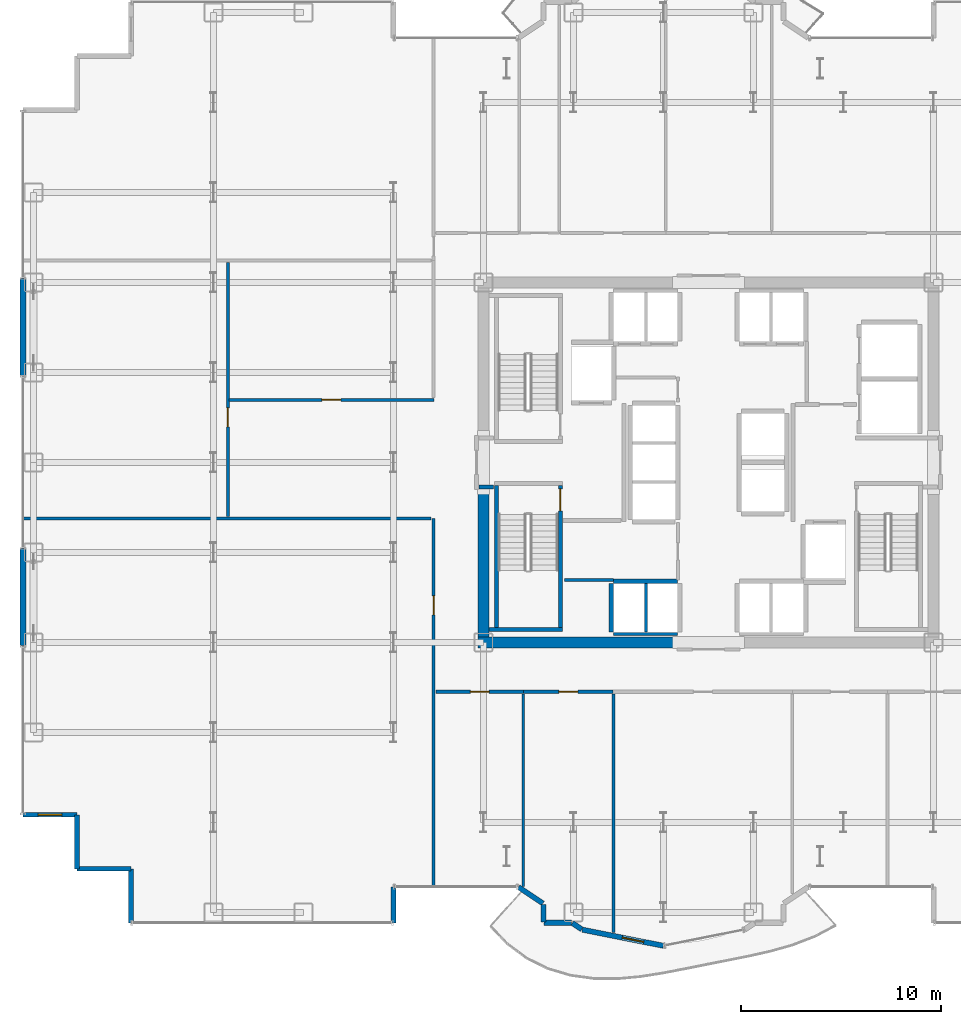
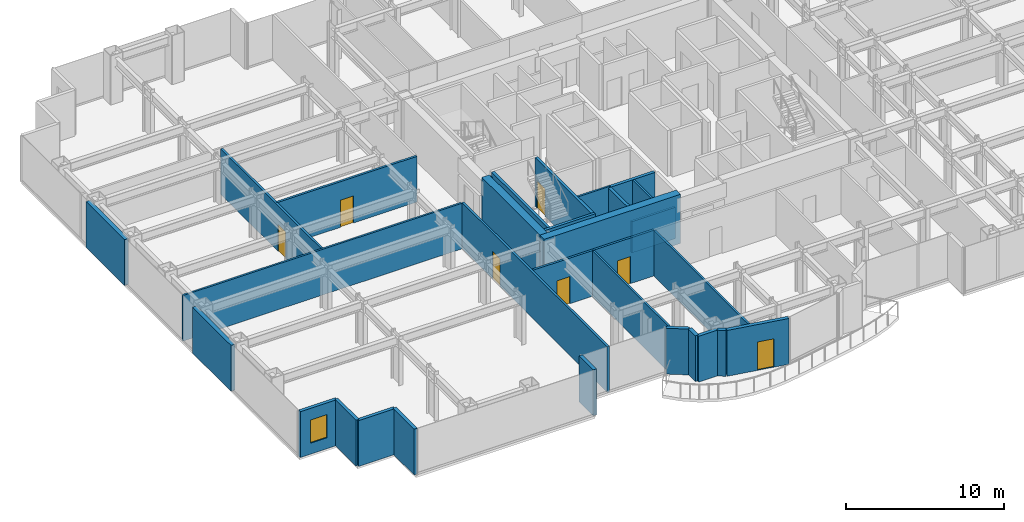
# One storey, part 22 of 28: 31 walls, 7 doors, 1 window, 8 openings.
"""IFC4 building model written with IfcOpenShell, lengths in metres."""

from ifc_helpers import new_model, si_unit, direction, frame, frame_2d, origin, place, context, subcontext, project, spatial, rectangle, extrude, source, transform, mapped, material, layer, layer_set, type_object, element, fill, save


model = new_model("IFC4")

# Units and contexts
model_context = context("Model", 3, precision=1e-05, world=origin(), true_north=direction((0.0, 1.0)))
body_context = subcontext(model_context, "Body", "Model", "MODEL_VIEW")
ifc_project = project(units=[si_unit("LENGTHUNIT", "METRE"), si_unit("AREAUNIT", "SQUARE_METRE"), si_unit("VOLUMEUNIT", "CUBIC_METRE"), si_unit("PLANEANGLEUNIT", "RADIAN"), si_unit("MASSUNIT", "GRAM", prefix="KILO")], contexts=[model_context])

# Site, building, storey
site_placement = place(None, origin())
site = spatial("IfcSite", under=ifc_project, at=site_placement, CompositionType="ELEMENT")
building_placement = place(site_placement, origin())
building = spatial("IfcBuilding", under=site, at=building_placement, Name="Nefas-Gora Pilgrimage Tower", CompositionType="ELEMENT")
storey_placement = place(building_placement, frame((0.0, 0.0, 102.199951171875)))
storey = spatial("IfcBuildingStorey", under=building, at=storey_placement, Name="L24", CompositionType="ELEMENT", Elevation=102.199951171875)

# Walls
ifc_material_1 = material(Name="Concrete C60/75", Category="concrete")
ifc_layer_1 = layer(ifc_material_1, 0.550048828125)
ifc_layer_set_1 = layer_set([ifc_layer_1], Name="Concrete C60/75")
wall_type_1 = type_object("IfcWallType", Name="SW-CORE-550", PredefinedType="SHEAR", material=ifc_layer_set_1)
shared_shape_1 = source(origin(), body_context, "Body", "SweptSolid", [
    extrude(rectangle(XDim=9.974853515625, YDim=0.550048828125, at=frame_2d((4.9873046875, 0.0))), origin(), (0.0, 0.0, 1.0), 3.800048828125),
])
wall_1_placement = place(storey_placement, frame((-11.52490234375, -9.0, 0.0), z_axis=(0.0, 0.0, 1.0), x_axis=(1.0, 0.0, 0.0)))
element("IfcWall", 1, at=wall_1_placement, inside=storey, type_object=wall_type_1, Name="L24 Core Shear Wall S-West", PredefinedType="SHEAR", context=body_context, shape_type="MappedRepresentation", body=[
    mapped(shared_shape_1, transform((0.0, 0.0, 0.0), x_axis=(1.0, 0.0, 0.0), y_axis=(0.0, 1.0, 0.0), z_axis=(0.0, 0.0, 1.0), scale=1.0)),
])
shared_shape_2 = source(origin(), body_context, "Body", "SweptSolid", [
    extrude(rectangle(XDim=7.375, YDim=0.550048828125, at=frame_2d((3.6875, 0.0))), origin(), (0.0, 0.0, 1.0), 3.800048828125),
])
wall_2_placement = place(storey_placement, frame((-11.25, -8.72509765625, 0.0), z_axis=(0.0, 0.0, 1.0), x_axis=(0.0, 1.0, 0.0)))
element("IfcWall", 2, at=wall_2_placement, inside=storey, type_object=wall_type_1, Name="L24 Core Shear Wall W-South", PredefinedType="SHEAR", context=body_context, shape_type="MappedRepresentation", body=[
    mapped(shared_shape_2, transform((0.0, 0.0, 0.0), x_axis=(1.0, 0.0, 0.0), y_axis=(0.0, 1.0, 0.0), z_axis=(0.0, 0.0, 1.0), scale=1.0)),
])
ifc_material_2 = material(Name="Precast concrete C45/55", Category="concrete")
ifc_layer_2 = layer(ifc_material_2, 0.239990234375)
ifc_layer_set_2 = layer_set([ifc_layer_2], Name="Precast concrete C45/55")
wall_type_2 = type_object("IfcWallType", Name="EW-SERR-240", PredefinedType="SHEAR", material=ifc_layer_set_2)
shared_shape_3 = source(origin(), body_context, "Body", "SweptSolid", [
    extrude(rectangle(XDim=4.8798828125, YDim=0.300048828125, at=frame_2d((2.43994140625, 0.0))), origin(), (0.0, 0.0, 1.0), 3.550048828125),
])
for number, where, z_axis, x_axis, name in (
    (3, (-34.27001953125, -9.18994140625, 0.0), (0.0, 0.0, 1.0), (0.0, 1.0, 0.0), "L24 Braced-Tube Precast Shear Cladding 1"),
    (4, (-34.27001953125, 4.31005859375, 0.0), (0.0, 0.0, 1.0), (0.0, 1.0, 0.0), "L24 Braced-Tube Precast Shear Cladding 2"),
):
    element("IfcWall", number, at=place(storey_placement, frame(where, z_axis=z_axis, x_axis=x_axis)), inside=storey, type_object=wall_type_2, Name=name, PredefinedType="SHEAR", context=body_context, shape_type="MappedRepresentation", body=[
        mapped(shared_shape_3, transform((0.0, 0.0, 0.0), x_axis=(1.0, 0.0, 0.0), y_axis=(0.0, 1.0, 0.0), z_axis=(0.0, 0.0, 1.0), scale=1.0)),
    ])
ifc_material_3 = material(Name="Precast concrete C40/50", Category="concrete")
ifc_layer_3 = layer(ifc_material_3, 0.260009765625)
ifc_layer_set_3 = layer_set([ifc_layer_3], Name="Precast concrete C40/50")
wall_type_3 = type_object("IfcWallType", Name="EW-PORTAL-260", PredefinedType="SOLIDWALL", material=ifc_layer_set_3)
shared_shape_4 = source(origin(), body_context, "Body", "SweptSolid", [
    extrude(rectangle(XDim=1.800048828125, YDim=0.260009765625, at=frame_2d((0.89990234375, 0.0))), origin(), (0.0, 0.0, 1.0), 3.550048828125),
])
wall_3_placement = place(storey_placement, frame((-15.75, -23.02001953125, 0.0), z_axis=(0.0, 0.0, 1.0), x_axis=(0.0, 1.0, 0.0)))
element("IfcWall", 5, at=wall_3_placement, inside=storey, type_object=wall_type_3, Name="L24 Lobe Shoulder Precast Spandrel Pier 33", PredefinedType="SOLIDWALL", context=body_context, shape_type="MappedRepresentation", body=[
    mapped(shared_shape_4, transform((0.0, 0.0, 0.0), x_axis=(1.0, 0.0, 0.0), y_axis=(0.0, 1.0, 0.0), z_axis=(0.0, 0.0, 1.0), scale=1.0)),
])

# Wall, opening, window
shared_shape_5 = source(origin(), body_context, "Body", "SweptSolid", [
    extrude(rectangle(XDim=2.699951171875, YDim=0.239990234375, at=frame_2d((1.35009765625, 0.0))), origin(), (0.0, 0.0, 1.0), 3.550048828125),
])
wall_4_placement = place(storey_placement, frame((-34.27001953125, -17.6201171875, 0.0), z_axis=(0.0, 0.0, 1.0), x_axis=(1.0, 0.0, 0.0)))
wall_4 = element("IfcWall", 6, at=wall_4_placement, inside=storey, type_object=wall_type_2, Name="L24 Serrated Corner Shear Pier Wall 29", PredefinedType="SHEAR", context=body_context, shape_type="MappedRepresentation", body=[
    mapped(shared_shape_5, transform((0.0, 0.0, 0.0), x_axis=(1.0, 0.0, 0.0), y_axis=(0.0, 1.0, 0.0), z_axis=(0.0, 0.0, 1.0), scale=1.0)),
])
opening_1_placement = place(wall_4_placement, frame((0.75, 0.0, 0.85009765625)))
opening_1 = element("IfcOpeningElement", 7, at=opening_1_placement, cuts=wall_4, Name="Opening W-V1", PredefinedType="OPENING", context=body_context, shape_type="SweptSolid", body=[
    extrude(rectangle(XDim=1.199951171875, YDim=1.800048828125, at=frame_2d((0.60009765625, 0.89990234375))), frame((0.0, 0.1298828125, 0.0), z_axis=(0.0, -1.0, 0.0), x_axis=(1.0, 0.0, 0.0)), (0.0, 0.0, 1.0), 0.260009765625),
])
ifc_material_4 = material(Name="Dark ceramic-fritted operable aluminium-glass window", Category="aluminium")
window_type = type_object("IfcWindowType", Name="WIN-VENT-1200x1800", PartitioningType="SINGLE_PANEL", PredefinedType="WINDOW", material=ifc_material_4)
shared_shape_6 = source(origin(), body_context, "Body", "SweptSolid", [
    extrude(rectangle(XDim=1.199951171875, YDim=1.800048828125, at=frame_2d((0.60009765625, 0.89990234375))), frame((0.0, 0.030029296875, 0.0), z_axis=(0.0, -1.0, 0.0), x_axis=(1.0, 0.0, 0.0)), (0.0, 0.0, 1.0), 0.06005859375),
])
window_placement = place(opening_1_placement, origin())
window = element("IfcWindow", 8, at=window_placement, inside=storey, type_object=window_type, Name="L24 Operable Parallel-Outswing Window 29", OverallHeight=1.800048828125, OverallWidth=1.199951171875, PartitioningType="SINGLE_PANEL", PredefinedType="WINDOW", context=body_context, shape_type="MappedRepresentation", body=[
    mapped(shared_shape_6, transform((0.0, 0.0, 0.0), x_axis=(1.0, 0.0, 0.0), y_axis=(0.0, 1.0, 0.0), z_axis=(0.0, 0.0, 1.0), scale=1.0)),
])
fill(opening_1, window)

# Walls
for number, where, z_axis, x_axis, name in (
    (9, (-31.570068359375, -17.6201171875, 0.0), (0.0, 0.0, 1.0), (0.0, -1.0, 0.0), "L24 Serrated Corner Shear Pier Wall 30"),
    (10, (-31.570068359375, -20.320068359375, 0.0), (0.0, 0.0, 1.0), (1.0, 0.0, 0.0), "L24 Serrated Corner Shear Pier Wall 31"),
    (11, (-28.8701171875, -20.320068359375, 0.0), (0.0, 0.0, 1.0), (0.0, -1.0, 0.0), "L24 Serrated Corner Shear Pier Wall 32"),
):
    element("IfcWall", number, at=place(storey_placement, frame(where, z_axis=z_axis, x_axis=x_axis)), inside=storey, type_object=wall_type_2, Name=name, PredefinedType="SHEAR", context=body_context, shape_type="MappedRepresentation", body=[
        mapped(shared_shape_5, transform((0.0, 0.0, 0.0), x_axis=(1.0, 0.0, 0.0), y_axis=(0.0, 1.0, 0.0), z_axis=(0.0, 0.0, 1.0), scale=1.0)),
    ])
shared_shape_7 = source(origin(), body_context, "Body", "SweptSolid", [
    extrude(rectangle(XDim=1.468994140625, YDim=0.260009765625, at=frame_2d((0.734375, 0.0))), origin(), (0.0, 0.0, 1.0), 3.550048828125),
])
wall_5_placement = place(storey_placement, frame((-9.49462890625, -21.235595703125, 0.0), z_axis=(0.0, 0.0, 1.0), x_axis=(0.831461760506, -0.555581983884, 0.0)))
element("IfcWall", 12, at=wall_5_placement, inside=storey, type_object=wall_type_3, Name="L24 Lobe Shoulder Precast Spandrel Pier 34", PredefinedType="SOLIDWALL", context=body_context, shape_type="MappedRepresentation", body=[
    mapped(shared_shape_7, transform((0.0, 0.0, 0.0), x_axis=(1.0, 0.0, 0.0), y_axis=(0.0, 1.0, 0.0), z_axis=(0.0, 0.0, 1.0), scale=1.0)),
])
shared_shape_8 = source(origin(), body_context, "Body", "SweptSolid", [
    extrude(rectangle(XDim=0.896728515625, YDim=0.260009765625, at=frame_2d((0.4482421875, 0.0))), origin(), (0.0, 0.0, 1.0), 3.550048828125),
])
wall_6_placement = place(storey_placement, frame((-8.25, -22.09521484375, 0.0), z_axis=(0.0, 0.0, 1.0), x_axis=(0.0, -1.0, 0.0)))
element("IfcWall", 13, at=wall_6_placement, inside=storey, type_object=wall_type_3, Name="L24 Lobe Shoulder Precast Spandrel Pier 35", PredefinedType="SOLIDWALL", context=body_context, shape_type="MappedRepresentation", body=[
    mapped(shared_shape_8, transform((0.0, 0.0, 0.0), x_axis=(1.0, 0.0, 0.0), y_axis=(0.0, 1.0, 0.0), z_axis=(0.0, 0.0, 1.0), scale=1.0)),
])
shared_shape_9 = source(origin(), body_context, "Body", "SweptSolid", [
    extrude(rectangle(XDim=1.369873046875, YDim=0.260009765625, at=frame_2d((0.68505859375, 0.0))), origin(), (0.0, 0.0, 1.0), 3.550048828125),
])
wall_7_placement = place(storey_placement, frame((-8.221923828125, -23.02001953125, 0.0), z_axis=(0.0, 0.0, 1.0), x_axis=(1.0, 0.0, 0.0)))
element("IfcWall", 14, at=wall_7_placement, inside=storey, type_object=wall_type_3, Name="L24 Lobe Shoulder Precast Spandrel Pier 36", PredefinedType="SOLIDWALL", context=body_context, shape_type="MappedRepresentation", body=[
    mapped(shared_shape_9, transform((0.0, 0.0, 0.0), x_axis=(1.0, 0.0, 0.0), y_axis=(0.0, 1.0, 0.0), z_axis=(0.0, 0.0, 1.0), scale=1.0)),
])
shared_shape_10 = source(origin(), body_context, "Body", "SweptSolid", [
    extrude(rectangle(XDim=0.5654296875, YDim=0.260009765625, at=frame_2d((0.28271484375, 0.0))), origin(), (0.0, 0.0, 1.0), 3.550048828125),
])
wall_8_placement = place(storey_placement, frame((-6.80078125, -23.03564453125, 0.0), z_axis=(0.0, 0.0, 1.0), x_axis=(0.831651492666, -0.555297933317, 0.0)))
element("IfcWall", 15, at=wall_8_placement, inside=storey, type_object=wall_type_3, Name="L24 Lobe Shoulder Precast Spandrel Pier 37", PredefinedType="SOLIDWALL", context=body_context, shape_type="MappedRepresentation", body=[
    mapped(shared_shape_10, transform((0.0, 0.0, 0.0), x_axis=(1.0, 0.0, 0.0), y_axis=(0.0, 1.0, 0.0), z_axis=(0.0, 0.0, 1.0), scale=1.0)),
])

# Wall, opening, door
shared_shape_11 = source(origin(), body_context, "Body", "SweptSolid", [
    extrude(rectangle(XDim=4.136962890625, YDim=0.260009765625, at=frame_2d((2.068359375, 0.0))), origin(), (0.0, 0.0, 1.0), 3.550048828125),
])
wall_9_placement = place(storey_placement, frame((-6.307373046875, -23.365234375, 0.0), z_axis=(0.0, 0.0, 1.0), x_axis=(0.980782170794, -0.195105954428, 0.0)))
wall_9 = element("IfcWall", 16, at=wall_9_placement, inside=storey, type_object=wall_type_3, Name="L24 Insulated Terrace Portal Wall 38", PredefinedType="SOLIDWALL", context=body_context, shape_type="MappedRepresentation", body=[
    mapped(shared_shape_11, transform((0.0, 0.0, 0.0), x_axis=(1.0, 0.0, 0.0), y_axis=(0.0, 1.0, 0.0), z_axis=(0.0, 0.0, 1.0), scale=1.0)),
])
opening_2_placement = place(wall_9_placement, frame((2.03369140625, 0.0, 0.0)))
opening_2 = element("IfcOpeningElement", 17, at=opening_2_placement, cuts=wall_9, Name="Opening ED-B1", PredefinedType="OPENING", context=body_context, shape_type="SweptSolid", body=[
    extrude(rectangle(XDim=1.10009765625, YDim=2.199951171875, at=frame_2d((0.550048828125, 1.10009765625))), frame((0.0, 0.139892578125, 0.0), z_axis=(0.0, -1.0, 0.0), x_axis=(1.0, 0.0, 0.0)), (0.0, 0.0, 1.0), 0.280029296875),
])
ifc_material_5 = material(Name="Thermally broken glazed aluminium balcony door", Category="aluminium")
door_type_1 = type_object("IfcDoorType", Name="DR-EXT-BAL-1100", OperationType="NOTDEFINED", PredefinedType="DOOR", material=ifc_material_5)
shared_shape_12 = source(origin(), body_context, "Body", "SweptSolid", [
    extrude(rectangle(XDim=1.10009765625, YDim=2.199951171875, at=frame_2d((0.550048828125, 1.10009765625))), frame((0.0, 0.02490234375, 0.0), z_axis=(0.0, -1.0, 0.0), x_axis=(1.0, 0.0, 0.0)), (0.0, 0.0, 1.0), 0.050048828125),
])
door_1_placement = place(opening_2_placement, origin())
door_1 = element("IfcDoor", 18, at=door_1_placement, inside=storey, type_object=door_type_1, Name="L24 Exterior Door (L24 S Lobe Wave Balcony)", OperationType="SINGLE_SWING_RIGHT", OverallHeight=2.199951171875, OverallWidth=1.10009765625, PredefinedType="DOOR", context=body_context, shape_type="MappedRepresentation", body=[
    mapped(shared_shape_12, transform((0.0, 0.0, 0.0), x_axis=(1.0, 0.0, 0.0), y_axis=(0.0, 1.0, 0.0), z_axis=(0.0, 0.0, 1.0), scale=1.0)),
])
fill(opening_2, door_1)

# Wall
ifc_material_6 = material(Name="Concrete C45/55", Category="concrete")
ifc_layer_4 = layer(ifc_material_6, 0.199951171875)
ifc_layer_set_4 = layer_set([ifc_layer_4], Name="Concrete C45/55")
wall_type_4 = type_object("IfcWallType", Name="IW-STAIR-200", PredefinedType="SOLIDWALL", material=ifc_layer_set_4)
shared_shape_13 = source(origin(), body_context, "Body", "SweptSolid", [
    extrude(rectangle(XDim=7.10009765625, YDim=0.199951171875, at=frame_2d((3.550048828125, 0.0))), origin(), (0.0, 0.0, 1.0), 3.800048828125),
])
wall_10_placement = place(storey_placement, frame((-10.60009765625, -1.14990234375, 0.0), z_axis=(0.0, 0.0, 1.0), x_axis=(0.0, -1.0, 0.0)))
element("IfcWall", 19, at=wall_10_placement, inside=storey, type_object=wall_type_4, Name="L24 Stairwell Shear Wall ST-03-left", PredefinedType="SOLIDWALL", context=body_context, shape_type="MappedRepresentation", body=[
    mapped(shared_shape_13, transform((0.0, 0.0, 0.0), x_axis=(1.0, 0.0, 0.0), y_axis=(0.0, 1.0, 0.0), z_axis=(0.0, 0.0, 1.0), scale=1.0)),
])

# Wall, opening, door
wall_11_placement = place(storey_placement, frame((-7.39990234375, -1.14990234375, 0.0), z_axis=(0.0, 0.0, 1.0), x_axis=(0.0, -1.0, 0.0)))
wall_11 = element("IfcWall", 20, at=wall_11_placement, inside=storey, type_object=wall_type_4, Name="L24 Stairwell Shear Wall ST-03-right", PredefinedType="SOLIDWALL", context=body_context, shape_type="MappedRepresentation", body=[
    mapped(shared_shape_13, transform((0.0, 0.0, 0.0), x_axis=(1.0, 0.0, 0.0), y_axis=(0.0, 1.0, 0.0), z_axis=(0.0, 0.0, 1.0), scale=1.0)),
])
opening_3_placement = place(wall_11_placement, frame((0.179931640625, 0.0, 0.0)))
opening_3 = element("IfcOpeningElement", 21, at=opening_3_placement, cuts=wall_11, Name="Opening ID-ST1", PredefinedType="OPENING", context=body_context, shape_type="SweptSolid", body=[
    extrude(rectangle(XDim=1.10009765625, YDim=2.14990234375, at=frame_2d((0.550048828125, 1.074951171875))), frame((0.0, 0.10986328125, 0.0), z_axis=(0.0, -1.0, 0.0), x_axis=(1.0, 0.0, 0.0)), (0.0, 0.0, 1.0), 0.219970703125),
])
ifc_material_7 = material(Name="Painted galvanised steel fire stair door", Category="steel")
door_type_2 = type_object("IfcDoorType", Name="DR-INT-STAIR-1100", OperationType="NOTDEFINED", PredefinedType="DOOR", material=ifc_material_7)
shared_shape_14 = source(origin(), body_context, "Body", "SweptSolid", [
    extrude(rectangle(XDim=1.10009765625, YDim=2.14990234375, at=frame_2d((0.550048828125, 1.074951171875))), frame((0.0, 0.02490234375, 0.0), z_axis=(0.0, -1.0, 0.0), x_axis=(1.0, 0.0, 0.0)), (0.0, 0.0, 1.0), 0.050048828125),
])
door_2_placement = place(opening_3_placement, origin())
door_2 = element("IfcDoor", 22, at=door_2_placement, inside=storey, type_object=door_type_2, Name="L24 Protected Exit Stair Door ST-03", OperationType="SINGLE_SWING_RIGHT", OverallHeight=2.14990234375, OverallWidth=1.10009765625, PredefinedType="DOOR", context=body_context, shape_type="MappedRepresentation", body=[
    mapped(shared_shape_14, transform((0.0, 0.0, 0.0), x_axis=(1.0, 0.0, 0.0), y_axis=(0.0, 1.0, 0.0), z_axis=(0.0, 0.0, 1.0), scale=1.0)),
])
fill(opening_3, door_2)

# Walls
shared_shape_15 = source(origin(), body_context, "Body", "SweptSolid", [
    extrude(rectangle(XDim=3.679931640625, YDim=0.199951171875, at=frame_2d((1.83984375, 0.0))), origin(), (0.0, 0.0, 1.0), 3.800048828125),
])
wall_12_placement = place(storey_placement, frame((-10.97998046875, -8.35009765625, 0.0), z_axis=(0.0, 0.0, 1.0), x_axis=(1.0, 0.0, 0.0)))
element("IfcWall", 23, at=wall_12_placement, inside=storey, type_object=wall_type_4, Name="L24 Stairwell Shear Wall ST-03-far", PredefinedType="SOLIDWALL", context=body_context, shape_type="MappedRepresentation", body=[
    mapped(shared_shape_15, transform((0.0, 0.0, 0.0), x_axis=(1.0, 0.0, 0.0), y_axis=(0.0, 1.0, 0.0), z_axis=(0.0, 0.0, 1.0), scale=1.0)),
])
ifc_material_8 = material(Name="Gypsum acoustic stud partition")
ifc_layer_5 = layer(ifc_material_8, 0.159912109375)
ifc_layer_set_5 = layer_set([ifc_layer_5], Name="Gypsum acoustic stud partition")
wall_type_5 = type_object("IfcWallType", Name="IW-CORR-160", PredefinedType="PARTITIONING", material=ifc_layer_set_5)
shared_shape_16 = source(origin(), body_context, "Body", "SweptSolid", [
    extrude(rectangle(XDim=3.199951171875, YDim=0.159912109375, at=frame_2d((1.60009765625, 0.0))), origin(), (0.0, 0.0, 1.0), 2.425048828125),
])
wall_13_placement = place(storey_placement, frame((-4.75, -8.580078125, 0.0), z_axis=(0.0, 0.0, 1.0), x_axis=(1.0, 0.0, 0.0)))
element("IfcWall", 24, at=wall_13_placement, inside=storey, type_object=wall_type_5, Name="L24 Hoistway Wall PL2-W-S", PredefinedType="PARTITIONING", context=body_context, shape_type="MappedRepresentation", body=[
    mapped(shared_shape_16, transform((0.0, 0.0, 0.0), x_axis=(1.0, 0.0, 0.0), y_axis=(0.0, 1.0, 0.0), z_axis=(0.0, 0.0, 1.0), scale=1.0)),
])
ifc_material_9 = material(Name="Concrete C40/50", Category="concrete")
ifc_layer_6 = layer(ifc_material_9, 0.219970703125)
ifc_layer_set_6 = layer_set([ifc_layer_6], Name="Concrete C40/50")
wall_type_6 = type_object("IfcWallType", Name="IW-SHAFT-220", PredefinedType="SOLIDWALL", material=ifc_layer_set_6)
shared_shape_17 = source(origin(), body_context, "Body", "SweptSolid", [
    extrude(rectangle(XDim=3.199951171875, YDim=0.219970703125, at=frame_2d((1.60009765625, 0.0))), origin(), (0.0, 0.0, 1.0), 3.53515625),
])
wall_14_placement = place(storey_placement, frame((-1.550048828125, -5.93994140625, 0.0), z_axis=(0.0, 0.0, 1.0), x_axis=(-1.0, 0.0, 0.0)))
element("IfcWall", 25, at=wall_14_placement, inside=storey, type_object=wall_type_6, Name="L24 Hoistway Wall PL2-W-N", PredefinedType="SOLIDWALL", context=body_context, shape_type="MappedRepresentation", body=[
    mapped(shared_shape_17, transform((0.0, 0.0, 0.0), x_axis=(1.0, 0.0, 0.0), y_axis=(0.0, 1.0, 0.0), z_axis=(0.0, 0.0, 1.0), scale=1.0)),
])
shared_shape_18 = source(origin(), body_context, "Body", "SweptSolid", [
    extrude(rectangle(XDim=2.429931640625, YDim=0.219970703125, at=frame_2d((1.21484375, 0.0))), origin(), (0.0, 0.0, 1.0), 3.53515625),
])
wall_15_placement = place(storey_placement, frame((-4.860107421875, -6.06005859375, 0.0), z_axis=(0.0, 0.0, 1.0), x_axis=(0.0, -1.0, 0.0)))
element("IfcWall", 26, at=wall_15_placement, inside=storey, type_object=wall_type_6, Name="L24 Hoistway Wall PL2-W-W", PredefinedType="SOLIDWALL", context=body_context, shape_type="MappedRepresentation", body=[
    mapped(shared_shape_18, transform((0.0, 0.0, 0.0), x_axis=(1.0, 0.0, 0.0), y_axis=(0.0, 1.0, 0.0), z_axis=(0.0, 0.0, 1.0), scale=1.0)),
])
ifc_material_10 = material(Name="Gypsum twin-stud partition")
ifc_layer_7 = layer(ifc_material_10, 0.139892578125)
ifc_layer_set_7 = layer_set([ifc_layer_7], Name="Gypsum twin-stud partition")
wall_type_7 = type_object("IfcWallType", Name="IW-UNIT-140", PredefinedType="PARTITIONING", material=ifc_layer_set_7)
shared_shape_19 = source(origin(), body_context, "Body", "SweptSolid", [
    extrude(rectangle(XDim=2.429931640625, YDim=0.139892578125, at=frame_2d((1.21484375, 0.0))), origin(), (0.0, 0.0, 1.0), 3.53515625),
])
wall_16_placement = place(storey_placement, frame((-3.125, -8.489990234375, 0.0), z_axis=(0.0, 0.0, 1.0), x_axis=(0.0, 1.0, 0.0)))
element("IfcWall", 27, at=wall_16_placement, inside=storey, type_object=wall_type_7, Name="L24 Hoistway Wall PL2-W-DIV", PredefinedType="PARTITIONING", context=body_context, shape_type="MappedRepresentation", body=[
    mapped(shared_shape_19, transform((0.0, 0.0, 0.0), x_axis=(1.0, 0.0, 0.0), y_axis=(0.0, 1.0, 0.0), z_axis=(0.0, 0.0, 1.0), scale=1.0)),
])
ifc_material_11 = material(Name="Gypsum fire-rated shaftwall")
ifc_layer_8 = layer(ifc_material_11, 0.199951171875)
ifc_layer_set_8 = layer_set([ifc_layer_8], Name="Gypsum fire-rated shaftwall")
wall_type_8 = type_object("IfcWallType", Name="IW-FFLOB-200", PredefinedType="PARTITIONING", material=ifc_layer_set_8)
shared_shape_20 = source(origin(), body_context, "Body", "SweptSolid", [
    extrude(rectangle(XDim=0.719970703125, YDim=0.199951171875, at=frame_2d((0.35986328125, 0.0))), origin(), (0.0, 0.0, 1.0), 3.53515625),
])
wall_17_placement = place(storey_placement, frame((-11.4599609375, -1.219970703125, 0.0), z_axis=(0.0, 0.0, 1.0), x_axis=(1.0, 0.0, 0.0)))
element("IfcWall", 28, at=wall_17_placement, inside=storey, type_object=wall_type_8, Name="L24 FF Lobby West Throat S Wall 7", PredefinedType="PARTITIONING", context=body_context, shape_type="MappedRepresentation", body=[
    mapped(shared_shape_20, transform((0.0, 0.0, 0.0), x_axis=(1.0, 0.0, 0.0), y_axis=(0.0, 1.0, 0.0), z_axis=(0.0, 0.0, 1.0), scale=1.0)),
])

# Wall, opening, door
shared_shape_21 = source(origin(), body_context, "Body", "SweptSolid", [
    extrude(rectangle(XDim=10.25, YDim=0.159912109375, at=frame_2d((5.125, 0.0))), origin(), (0.0, 0.0, 1.0), 3.53515625),
])
wall_18_placement = place(storey_placement, frame((-23.97998046875, 3.1201171875, 0.0), z_axis=(0.0, 0.0, 1.0), x_axis=(1.0, 0.0, 0.0)))
wall_18 = element("IfcWall", 29, at=wall_18_placement, inside=storey, type_object=wall_type_5, Name="L24 Pilgrim Floor Concierge Foyer Partition Wall 27", PredefinedType="PARTITIONING", context=body_context, shape_type="MappedRepresentation", body=[
    mapped(shared_shape_21, transform((0.0, 0.0, 0.0), x_axis=(1.0, 0.0, 0.0), y_axis=(0.0, 1.0, 0.0), z_axis=(0.0, 0.0, 1.0), scale=1.0)),
])
opening_4_placement = place(wall_18_placement, frame((4.64990234375, 0.0, 0.0)))
opening_4 = element("IfcOpeningElement", 30, at=opening_4_placement, cuts=wall_18, Name="Opening ID-GR1", PredefinedType="OPENING", context=body_context, shape_type="SweptSolid", body=[
    extrude(rectangle(XDim=0.949951171875, YDim=2.10009765625, at=frame_2d((0.47509765625, 1.050048828125))), frame((0.0, 0.08984375, 0.0), z_axis=(0.0, -1.0, 0.0), x_axis=(1.0, 0.0, 0.0)), (0.0, 0.0, 1.0), 0.179931640625),
])
ifc_material_12 = material(Name="Solid core oak fire-rated guest entrance door")
door_type_3 = type_object("IfcDoorType", Name="DR-INT-GUEST-950", OperationType="NOTDEFINED", PredefinedType="DOOR", material=ifc_material_12)
shared_shape_22 = source(origin(), body_context, "Body", "SweptSolid", [
    extrude(rectangle(XDim=0.949951171875, YDim=2.10009765625, at=frame_2d((0.47509765625, 1.050048828125))), frame((0.0, 0.02490234375, 0.0), z_axis=(0.0, -1.0, 0.0), x_axis=(1.0, 0.0, 0.0)), (0.0, 0.0, 1.0), 0.050048828125),
])
door_3_placement = place(opening_4_placement, origin())
door_3 = element("IfcDoor", 31, at=door_3_placement, inside=storey, type_object=door_type_3, Name="L24 Pilgrim Floor Concierge Foyer Door 11", OperationType="SINGLE_SWING_LEFT", OverallHeight=2.10009765625, OverallWidth=0.949951171875, PredefinedType="DOOR", context=body_context, shape_type="MappedRepresentation", body=[
    mapped(shared_shape_22, transform((0.0, 0.0, 0.0), x_axis=(1.0, 0.0, 0.0), y_axis=(0.0, 1.0, 0.0), z_axis=(0.0, 0.0, 1.0), scale=1.0)),
])
fill(opening_4, door_3)

# Walls
shared_shape_23 = source(origin(), body_context, "Body", "SweptSolid", [
    extrude(rectangle(XDim=2.43505859375, YDim=0.139892578125, at=frame_2d((1.217529296875, 0.0))), origin(), (0.0, 0.0, 1.0), 3.53515625),
])
wall_19_placement = place(storey_placement, frame((-7.18994140625, -5.8798828125, 0.0), z_axis=(0.0, 0.0, 1.0), x_axis=(1.0, 0.0, 0.0)))
element("IfcWall", 32, at=wall_19_placement, inside=storey, type_object=wall_type_7, Name="L24 Pilgrim Baggage and Gear Vault Partition Wall 19", PredefinedType="PARTITIONING", context=body_context, shape_type="MappedRepresentation", body=[
    mapped(shared_shape_23, transform((0.0, 0.0, 0.0), x_axis=(1.0, 0.0, 0.0), y_axis=(0.0, 1.0, 0.0), z_axis=(0.0, 0.0, 1.0), scale=1.0)),
])
shared_shape_24 = source(origin(), body_context, "Body", "SweptSolid", [
    extrude(rectangle(XDim=20.429931640625, YDim=0.139892578125, at=frame_2d((10.21484375, 0.0))), origin(), (0.0, 0.0, 1.0), 3.53515625),
])
wall_20_placement = place(storey_placement, frame((-34.2900390625, -2.804931640625, 0.0), z_axis=(0.0, 0.0, 1.0), x_axis=(1.0, 0.0, 0.0)))
element("IfcWall", 33, at=wall_20_placement, inside=storey, type_object=wall_type_7, Name="L24 Pilgrim Floor Concierge Foyer Partition Wall 24", PredefinedType="PARTITIONING", context=body_context, shape_type="MappedRepresentation", body=[
    mapped(shared_shape_24, transform((0.0, 0.0, 0.0), x_axis=(1.0, 0.0, 0.0), y_axis=(0.0, 1.0, 0.0), z_axis=(0.0, 0.0, 1.0), scale=1.0)),
])

# Wall, opening, door
shared_shape_25 = source(origin(), body_context, "Body", "SweptSolid", [
    extrude(rectangle(XDim=18.445068359375, YDim=0.159912109375, at=frame_2d((9.22265625, 0.0))), origin(), (0.0, 0.0, 1.0), 3.53515625),
])
wall_21_placement = place(storey_placement, frame((-13.739990234375, -21.239990234375, 0.0), z_axis=(0.0, 0.0, 1.0), x_axis=(0.0, 1.0, 0.0)))
wall_21 = element("IfcWall", 34, at=wall_21_placement, inside=storey, type_object=wall_type_5, Name="L24 Pilgrim Floor Concierge Foyer Partition Wall 23", PredefinedType="PARTITIONING", context=body_context, shape_type="MappedRepresentation", body=[
    mapped(shared_shape_25, transform((0.0, 0.0, 0.0), x_axis=(1.0, 0.0, 0.0), y_axis=(0.0, 1.0, 0.0), z_axis=(0.0, 0.0, 1.0), scale=1.0)),
])
opening_5_placement = place(wall_21_placement, frame((13.612548828125, 0.0, 0.0)))
opening_5 = element("IfcOpeningElement", 35, at=opening_5_placement, cuts=wall_21, Name="Opening ID-GR1", PredefinedType="OPENING", context=body_context, shape_type="SweptSolid", body=[
    extrude(rectangle(XDim=0.949951171875, YDim=2.10009765625, at=frame_2d((0.47509765625, 1.050048828125))), frame((0.0, 0.08984375, 0.0), z_axis=(0.0, -1.0, 0.0), x_axis=(1.0, 0.0, 0.0)), (0.0, 0.0, 1.0), 0.179931640625),
])
door_4_placement = place(opening_5_placement, origin())
door_4 = element("IfcDoor", 36, at=door_4_placement, inside=storey, type_object=door_type_3, Name="L24 Pilgrim Floor Concierge Foyer Door 9", OperationType="SINGLE_SWING_LEFT", OverallHeight=2.10009765625, OverallWidth=0.949951171875, PredefinedType="DOOR", context=body_context, shape_type="MappedRepresentation", body=[
    mapped(shared_shape_22, transform((0.0, 0.0, 0.0), x_axis=(1.0, 0.0, 0.0), y_axis=(0.0, 1.0, 0.0), z_axis=(0.0, 0.0, 1.0), scale=1.0)),
])
fill(opening_5, door_4)

shared_shape_26 = source(origin(), body_context, "Body", "SweptSolid", [
    extrude(rectangle(XDim=12.6826171875, YDim=0.159912109375, at=frame_2d((6.34130859375, 0.0))), origin(), (0.0, 0.0, 1.0), 3.53515625),
])
wall_22_placement = place(storey_placement, frame((-24.02001953125, -2.695068359375, 0.0), z_axis=(0.0, 0.0, 1.0), x_axis=(0.0, 1.0, 0.0)))
wall_22 = element("IfcWall", 37, at=wall_22_placement, inside=storey, type_object=wall_type_5, Name="L24 Pilgrim Tea and Beverage Pantry Partition Wall 29", PredefinedType="PARTITIONING", context=body_context, shape_type="MappedRepresentation", body=[
    mapped(shared_shape_26, transform((0.0, 0.0, 0.0), x_axis=(1.0, 0.0, 0.0), y_axis=(0.0, 1.0, 0.0), z_axis=(0.0, 0.0, 1.0), scale=1.0)),
])
opening_6_placement = place(wall_22_placement, frame((4.469970703125, 0.0, 0.0)))
opening_6 = element("IfcOpeningElement", 38, at=opening_6_placement, cuts=wall_22, Name="Opening ID-GR1", PredefinedType="OPENING", context=body_context, shape_type="SweptSolid", body=[
    extrude(rectangle(XDim=0.949951171875, YDim=2.10009765625, at=frame_2d((0.47509765625, 1.050048828125))), frame((0.0, 0.08984375, 0.0), z_axis=(0.0, -1.0, 0.0), x_axis=(1.0, 0.0, 0.0)), (0.0, 0.0, 1.0), 0.179931640625),
])
door_5_placement = place(opening_6_placement, origin())
door_5 = element("IfcDoor", 39, at=door_5_placement, inside=storey, type_object=door_type_3, Name="L24 Pilgrim Tea and Beverage Pantry Door 12", OperationType="SINGLE_SWING_RIGHT", OverallHeight=2.10009765625, OverallWidth=0.949951171875, PredefinedType="DOOR", context=body_context, shape_type="MappedRepresentation", body=[
    mapped(shared_shape_22, transform((0.0, 0.0, 0.0), x_axis=(1.0, 0.0, 0.0), y_axis=(0.0, 1.0, 0.0), z_axis=(0.0, 0.0, 1.0), scale=1.0)),
])
fill(opening_6, door_5)

# Wall
shared_shape_27 = source(origin(), body_context, "Body", "SweptSolid", [
    extrude(rectangle(XDim=11.911865234375, YDim=0.139892578125, at=frame_2d((5.9560546875, 0.0))), origin(), (0.0, 0.0, 1.0), 3.53515625),
])
wall_23_placement = place(storey_placement, frame((-4.75, -23.501953125, 0.0), z_axis=(0.0, 0.0, 1.0), x_axis=(0.0, 1.0, 0.0)))
element("IfcWall", 40, at=wall_23_placement, inside=storey, type_object=wall_type_7, Name="L24 Pilgrim Contemplative Lounge Partition Wall 42", PredefinedType="PARTITIONING", context=body_context, shape_type="MappedRepresentation", body=[
    mapped(shared_shape_27, transform((0.0, 0.0, 0.0), x_axis=(1.0, 0.0, 0.0), y_axis=(0.0, 1.0, 0.0), z_axis=(0.0, 0.0, 1.0), scale=1.0)),
])

# Wall, opening, door
shared_shape_28 = source(origin(), body_context, "Body", "SweptSolid", [
    extrude(rectangle(XDim=4.377685546875, YDim=0.159912109375, at=frame_2d((2.18896484375, 0.0))), origin(), (0.0, 0.0, 1.0), 3.53515625),
])
wall_24_placement = place(storey_placement, frame((-13.6201171875, -11.469970703125, 0.0), z_axis=(0.0, 0.0, 1.0), x_axis=(1.0, 0.0, 0.0)))
wall_24 = element("IfcWall", 41, at=wall_24_placement, inside=storey, type_object=wall_type_5, Name="L24 Pilgrim Contemplative Lounge Partition Wall 44", PredefinedType="PARTITIONING", context=body_context, shape_type="MappedRepresentation", body=[
    mapped(shared_shape_28, transform((0.0, 0.0, 0.0), x_axis=(1.0, 0.0, 0.0), y_axis=(0.0, 1.0, 0.0), z_axis=(0.0, 0.0, 1.0), scale=1.0)),
])
opening_7_placement = place(wall_24_placement, frame((1.713623046875, 0.0, 0.0)))
opening_7 = element("IfcOpeningElement", 42, at=opening_7_placement, cuts=wall_24, Name="Opening ID-GR1", PredefinedType="OPENING", context=body_context, shape_type="SweptSolid", body=[
    extrude(rectangle(XDim=0.949951171875, YDim=2.10009765625, at=frame_2d((0.47509765625, 1.050048828125))), frame((0.0, 0.08984375, 0.0), z_axis=(0.0, -1.0, 0.0), x_axis=(1.0, 0.0, 0.0)), (0.0, 0.0, 1.0), 0.179931640625),
])
door_6_placement = place(opening_7_placement, origin())
door_6 = element("IfcDoor", 43, at=door_6_placement, inside=storey, type_object=door_type_3, Name="L24 Pilgrim Contemplative Lounge Door 21", OperationType="SINGLE_SWING_LEFT", OverallHeight=2.10009765625, OverallWidth=0.949951171875, PredefinedType="DOOR", context=body_context, shape_type="MappedRepresentation", body=[
    mapped(shared_shape_22, transform((0.0, 0.0, 0.0), x_axis=(1.0, 0.0, 0.0), y_axis=(0.0, 1.0, 0.0), z_axis=(0.0, 0.0, 1.0), scale=1.0)),
])
fill(opening_7, door_6)

# Wall
shared_shape_29 = source(origin(), body_context, "Body", "SweptSolid", [
    extrude(rectangle(XDim=9.605224609375, YDim=0.139892578125, at=frame_2d((4.802734375, 0.0))), origin(), (0.0, 0.0, 1.0), 3.53515625),
])
wall_25_placement = place(storey_placement, frame((-9.25244140625, -21.1953125, 0.0), z_axis=(0.0, 0.0, 1.0), x_axis=(0.0, 1.0, 0.0)))
element("IfcWall", 44, at=wall_25_placement, inside=storey, type_object=wall_type_7, Name="L24 Pilgrim Contemplative Lounge Partition Wall 45", PredefinedType="PARTITIONING", context=body_context, shape_type="MappedRepresentation", body=[
    mapped(shared_shape_29, transform((0.0, 0.0, 0.0), x_axis=(1.0, 0.0, 0.0), y_axis=(0.0, 1.0, 0.0), z_axis=(0.0, 0.0, 1.0), scale=1.0)),
])

# Wall, opening, door
shared_shape_30 = source(origin(), body_context, "Body", "SweptSolid", [
    extrude(rectangle(XDim=4.482421875, YDim=0.159912109375, at=frame_2d((2.2412109375, 0.0))), origin(), (0.0, 0.0, 1.0), 3.53515625),
])
wall_26_placement = place(storey_placement, frame((-9.242431640625, -11.469970703125, 0.0), z_axis=(0.0, 0.0, 1.0), x_axis=(1.0, 0.0, 0.0)))
wall_26 = element("IfcWall", 45, at=wall_26_placement, inside=storey, type_object=wall_type_5, Name="L24 Pilgrim Contemplative Lounge Partition Wall 46", PredefinedType="PARTITIONING", context=body_context, shape_type="MappedRepresentation", body=[
    mapped(shared_shape_30, transform((0.0, 0.0, 0.0), x_axis=(1.0, 0.0, 0.0), y_axis=(0.0, 1.0, 0.0), z_axis=(0.0, 0.0, 1.0), scale=1.0)),
])
opening_8_placement = place(wall_26_placement, frame((1.766357421875, 0.0, 0.0)))
opening_8 = element("IfcOpeningElement", 46, at=opening_8_placement, cuts=wall_26, Name="Opening ID-GR1", PredefinedType="OPENING", context=body_context, shape_type="SweptSolid", body=[
    extrude(rectangle(XDim=0.949951171875, YDim=2.10009765625, at=frame_2d((0.47509765625, 1.050048828125))), frame((0.0, 0.08984375, 0.0), z_axis=(0.0, -1.0, 0.0), x_axis=(1.0, 0.0, 0.0)), (0.0, 0.0, 1.0), 0.179931640625),
])
door_7_placement = place(opening_8_placement, origin())
door_7 = element("IfcDoor", 47, at=door_7_placement, inside=storey, type_object=door_type_3, Name="L24 Pilgrim Contemplative Lounge Door 22", OperationType="SINGLE_SWING_RIGHT", OverallHeight=2.10009765625, OverallWidth=0.949951171875, PredefinedType="DOOR", context=body_context, shape_type="MappedRepresentation", body=[
    mapped(shared_shape_22, transform((0.0, 0.0, 0.0), x_axis=(1.0, 0.0, 0.0), y_axis=(0.0, 1.0, 0.0), z_axis=(0.0, 0.0, 1.0), scale=1.0)),
])
fill(opening_8, door_7)

save(model, "model.ifc")
